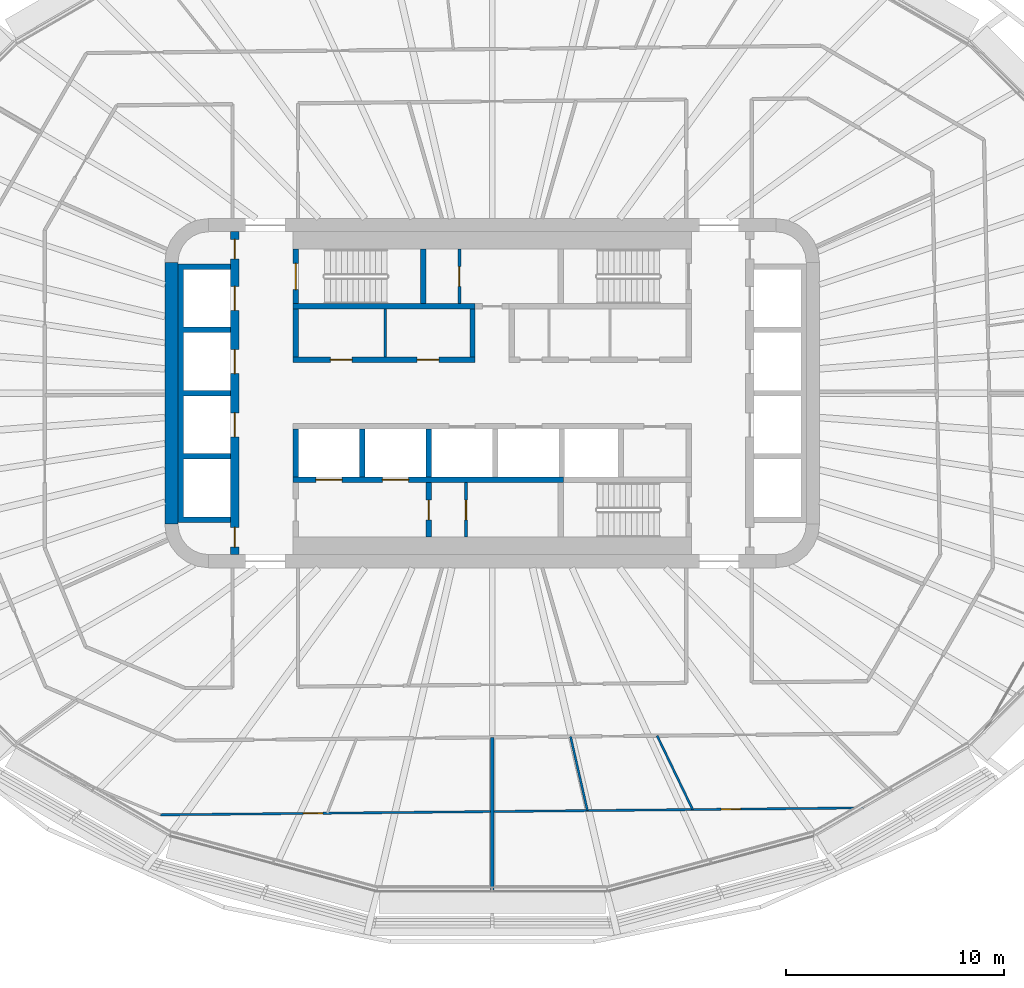
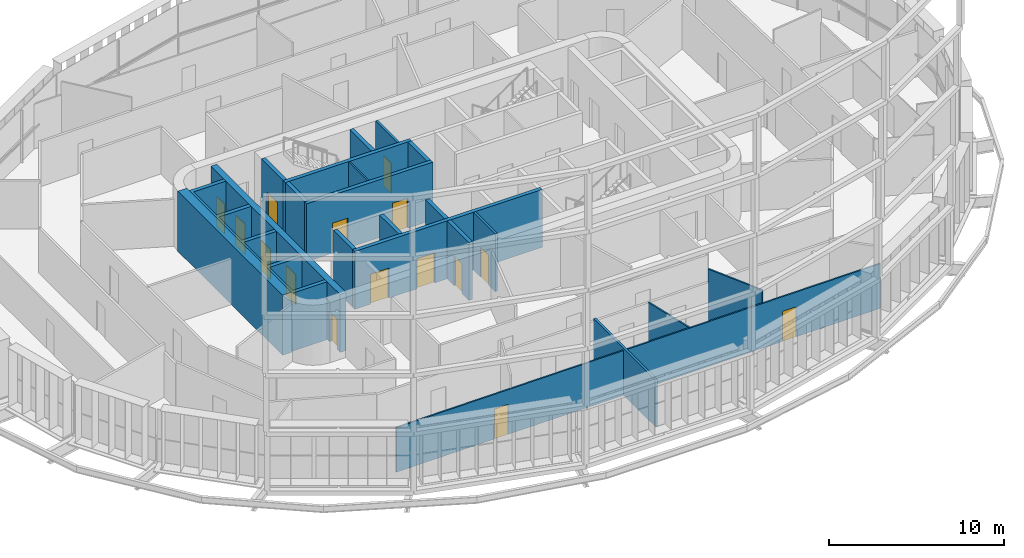
# One storey, part 12 of 23: 21 walls, 15 doors, 15 openings.
"""IFC4 building model written with IfcOpenShell, lengths in metres."""

from ifc_helpers import new_model, si_unit, direction, frame, frame_2d, origin, place, context, subcontext, project, spatial, polyline, rectangle, outline, extrude, material, layer, layer_set, type_object, element, fill, save


model = new_model("IFC4")

# Units and contexts
model_context = context("Model", 3, precision=1e-05, world=origin(), true_north=direction((0.0, 1.0)))
body_context = subcontext(model_context, "Body", "Model", "MODEL_VIEW")
ifc_project = project(units=[si_unit("LENGTHUNIT", "METRE"), si_unit("AREAUNIT", "SQUARE_METRE"), si_unit("VOLUMEUNIT", "CUBIC_METRE"), si_unit("PLANEANGLEUNIT", "RADIAN"), si_unit("MASSUNIT", "GRAM", prefix="KILO")], contexts=[model_context])

# Site, building, storey
site_placement = place(None, origin())
site = spatial("IfcSite", under=ifc_project, at=site_placement, CompositionType="ELEMENT")
building_placement = place(site_placement, origin())
building = spatial("IfcBuilding", under=site, at=building_placement, Name="Sahrelin Media Tower", CompositionType="ELEMENT")
storey_placement = place(building_placement, frame((0.0, 0.0, 54.60009765625)))
storey = spatial("IfcBuildingStorey", under=building, at=storey_placement, Name="L08", CompositionType="ELEMENT", Elevation=54.60009765625)

# Wall
ifc_material_1 = material(Name="Concrete C60/75", Category="concrete")
ifc_layer_1 = layer(ifc_material_1, 0.60009765625)
ifc_layer_set_1 = layer_set([ifc_layer_1], Name="Core wall 600")
wall_type_1 = type_object("IfcWallType", Name="Core wall 600", PredefinedType="SHEAR", material=ifc_layer_set_1)
wall_1_placement = place(storey_placement, frame((-14.699951171875, -6.0, 0.0), z_axis=(0.0, 0.0, 1.0), x_axis=(0.0, 1.0, 0.0)))
element("IfcWall", 1, at=wall_1_placement, inside=storey, type_object=wall_type_1, Name="Core wall W L08", PredefinedType="SHEAR", context=body_context, shape_type="SweptSolid", body=[
    extrude(rectangle(XDim=12.0, YDim=0.60009765625, at=frame_2d((6.0, 0.0))), origin(), (0.0, 0.0, 1.0), 4.199951171875),
])

# Wall, openings, doors
ifc_material_2 = material(Name="Fire-rated gypsum board partition")
ifc_layer_2 = layer(ifc_material_2, 0.25)
ifc_layer_set_2 = layer_set([ifc_layer_2], Name="Fire-rated lobby wall 250")
wall_type_2 = type_object("IfcWallType", Name="Fire-rated lobby wall 250", PredefinedType="PARTITIONING", material=ifc_layer_set_2)
wall_2_placement = place(storey_placement, frame((-9.125, 1.52490234375, 0.0), z_axis=(0.0, 0.0, 1.0), x_axis=(1.0, 0.0, 0.0)))
wall_2 = element("IfcWall", 2, at=wall_2_placement, inside=storey, type_object=wall_type_2, Name="Core lobby wall", PredefinedType="PARTITIONING", context=body_context, shape_type="SweptSolid", body=[
    extrude(rectangle(XDim=8.35009765625, YDim=0.25, at=frame_2d((4.175048828125, 0.0))), origin(), (0.0, 0.0, 1.0), 4.0498046875),
])
opening_1_placement = place(wall_2_placement, frame((1.71240234375, 0.0, 0.0)))
opening_1 = element("IfcOpeningElement", 3, at=opening_1_placement, cuts=wall_2, Name="Opening L08-D09", PredefinedType="OPENING", context=body_context, shape_type="SweptSolid", body=[
    extrude(rectangle(XDim=1.0, YDim=2.10009765625, at=frame_2d((0.5, 1.050048828125))), frame((0.0, 0.125, 0.0), z_axis=(0.0, -1.0, 0.0), x_axis=(1.0, 0.0, 0.0)), (0.0, 0.0, 1.0), 0.25),
])
opening_2_placement = place(wall_2_placement, frame((5.6875, 0.0, 0.0)))
opening_2 = element("IfcOpeningElement", 4, at=opening_2_placement, cuts=wall_2, Name="Opening L08-D10", PredefinedType="OPENING", context=body_context, shape_type="SweptSolid", body=[
    extrude(rectangle(XDim=1.0, YDim=2.10009765625, at=frame_2d((0.5, 1.050048828125))), frame((0.0, 0.125, 0.0), z_axis=(0.0, -1.0, 0.0), x_axis=(1.0, 0.0, 0.0)), (0.0, 0.0, 1.0), 0.25),
])
ifc_material_3 = material(Name="Steel fire door leaf", Category="steel")
door_type_1 = type_object("IfcDoorType", Name="Fire door 1000 x 2100 EI 60", OperationType="NOTDEFINED", PredefinedType="DOOR", material=ifc_material_3)
door_1_placement = place(opening_1_placement, origin())
door_1 = element("IfcDoor", 5, at=door_1_placement, inside=storey, type_object=door_type_1, Name="Core room door", OperationType="SINGLE_SWING_LEFT", OverallHeight=2.10009765625, OverallWidth=1.0, PredefinedType="DOOR", context=body_context, shape_type="SweptSolid", body=[
    extrude(rectangle(XDim=1.0, YDim=2.10009765625, at=frame_2d((0.5, 1.050048828125))), frame((0.0, 0.02490234375, 0.0), z_axis=(0.0, -1.0, 0.0), x_axis=(1.0, 0.0, 0.0)), (0.0, 0.0, 1.0), 0.050048828125),
])
fill(opening_1, door_1)
door_2_placement = place(opening_2_placement, origin())
door_2 = element("IfcDoor", 6, at=door_2_placement, inside=storey, type_object=door_type_1, Name="Core room door", OperationType="SINGLE_SWING_LEFT", OverallHeight=2.10009765625, OverallWidth=1.0, PredefinedType="DOOR", context=body_context, shape_type="SweptSolid", body=[
    extrude(rectangle(XDim=1.0, YDim=2.10009765625, at=frame_2d((0.5, 1.050048828125))), frame((0.0, 0.02490234375, 0.0), z_axis=(0.0, -1.0, 0.0), x_axis=(1.0, 0.0, 0.0)), (0.0, 0.0, 1.0), 0.050048828125),
])
fill(opening_2, door_2)

# Walls
for number, where, z_axis, x_axis, name in (
    (7, (-9.0, 1.64990234375, 0.0), (0.0, 0.0, 1.0), (0.0, 1.0, 0.0), "Core lobby wall"),
    (8, (-0.89990234375, 1.64990234375, 0.0), (0.0, 0.0, 1.0), (0.0, 1.0, 0.0), "Core lobby wall"),
):
    element("IfcWall", number, at=place(storey_placement, frame(where, z_axis=z_axis, x_axis=x_axis)), inside=storey, type_object=wall_type_2, Name=name, PredefinedType="PARTITIONING", context=body_context, shape_type="SweptSolid", body=[
        extrude(rectangle(XDim=2.2001953125, YDim=0.25, at=frame_2d((1.10009765625, 0.0))), origin(), (0.0, 0.0, 1.0), 4.0498046875),
    ])
ifc_layer_3 = layer(ifc_material_2, 0.10009765625)
ifc_layer_set_3 = layer_set([ifc_layer_3], Name="Fire-rated partition 100")
wall_type_3 = type_object("IfcWallType", Name="Fire-rated partition 100", PredefinedType="PARTITIONING", material=ifc_layer_set_3)
wall_3_placement = place(storey_placement, frame((-4.89990234375, 1.64990234375, 0.0), z_axis=(0.0, 0.0, 1.0), x_axis=(0.0, 1.0, 0.0)))
element("IfcWall", 9, at=wall_3_placement, inside=storey, type_object=wall_type_3, Name="Core room partition", PredefinedType="PARTITIONING", context=body_context, shape_type="SweptSolid", body=[
    extrude(rectangle(XDim=2.2001953125, YDim=0.10009765625, at=frame_2d((1.10009765625, 0.0))), origin(), (0.0, 0.0, 1.0), 4.0498046875),
])

# Wall, opening, door
ifc_layer_4 = layer(ifc_material_2, 0.14990234375)
ifc_layer_set_4 = layer_set([ifc_layer_4], Name="Fire-rated partition 150")
wall_type_4 = type_object("IfcWallType", Name="Fire-rated partition 150", PredefinedType="PARTITIONING", material=ifc_layer_set_4)
wall_4_placement = place(storey_placement, frame((-1.5, 4.10009765625, 0.0), z_axis=(0.0, 0.0, 1.0), x_axis=(0.0, 1.0, 0.0)))
wall_4 = element("IfcWall", 10, at=wall_4_placement, inside=storey, type_object=wall_type_4, Name="Core room fire partition", PredefinedType="PARTITIONING", context=body_context, shape_type="SweptSolid", body=[
    extrude(rectangle(XDim=2.5, YDim=0.14990234375, at=frame_2d((1.25, 0.0))), origin(), (0.0, 0.0, 1.0), 4.0498046875),
])
opening_3_placement = place(wall_4_placement, frame((0.800048828125, 0.0, 0.0)))
opening_3 = element("IfcOpeningElement", 11, at=opening_3_placement, cuts=wall_4, Name="Opening L08-D07", PredefinedType="OPENING", context=body_context, shape_type="SweptSolid", body=[
    extrude(rectangle(XDim=0.89990234375, YDim=2.10009765625, at=frame_2d((0.449951171875, 1.050048828125))), frame((0.0, 0.074951171875, 0.0), z_axis=(0.0, -1.0, 0.0), x_axis=(1.0, 0.0, 0.0)), (0.0, 0.0, 1.0), 0.14990234375),
])
door_type_2 = type_object("IfcDoorType", Name="Fire door 900 x 2100 EI 60", OperationType="NOTDEFINED", PredefinedType="DOOR", material=ifc_material_3)
door_3_placement = place(opening_3_placement, origin())
door_3 = element("IfcDoor", 12, at=door_3_placement, inside=storey, type_object=door_type_2, Name="Core room door", OperationType="SINGLE_SWING_LEFT", OverallHeight=2.10009765625, OverallWidth=0.89990234375, PredefinedType="DOOR", context=body_context, shape_type="SweptSolid", body=[
    extrude(rectangle(XDim=0.89990234375, YDim=2.10009765625, at=frame_2d((0.449951171875, 1.050048828125))), frame((0.0, 0.02490234375, 0.0), z_axis=(0.0, -1.0, 0.0), x_axis=(1.0, 0.0, 0.0)), (0.0, 0.0, 1.0), 0.050048828125),
])
fill(opening_3, door_3)

wall_5_placement = place(storey_placement, frame((-1.199951171875, -6.60009765625, 0.0), z_axis=(0.0, 0.0, 1.0), x_axis=(0.0, 1.0, 0.0)))
wall_5 = element("IfcWall", 13, at=wall_5_placement, inside=storey, type_object=wall_type_4, Name="Core room fire partition", PredefinedType="PARTITIONING", context=body_context, shape_type="SweptSolid", body=[
    extrude(rectangle(XDim=2.5, YDim=0.14990234375, at=frame_2d((1.25, 0.0))), origin(), (0.0, 0.0, 1.0), 4.0498046875),
])
opening_4_placement = place(wall_5_placement, frame((0.800048828125, 0.0, 0.0)))
opening_4 = element("IfcOpeningElement", 14, at=opening_4_placement, cuts=wall_5, Name="Opening L08-D08", PredefinedType="OPENING", context=body_context, shape_type="SweptSolid", body=[
    extrude(rectangle(XDim=0.89990234375, YDim=2.10009765625, at=frame_2d((0.449951171875, 1.050048828125))), frame((0.0, 0.074951171875, 0.0), z_axis=(0.0, -1.0, 0.0), x_axis=(1.0, 0.0, 0.0)), (0.0, 0.0, 1.0), 0.14990234375),
])
door_4_placement = place(opening_4_placement, origin())
door_4 = element("IfcDoor", 15, at=door_4_placement, inside=storey, type_object=door_type_2, Name="Core room door", OperationType="SINGLE_SWING_RIGHT", OverallHeight=2.10009765625, OverallWidth=0.89990234375, PredefinedType="DOOR", context=body_context, shape_type="SweptSolid", body=[
    extrude(rectangle(XDim=0.89990234375, YDim=2.10009765625, at=frame_2d((0.449951171875, 1.050048828125))), frame((0.0, 0.02490234375, 0.0), z_axis=(0.0, -1.0, 0.0), x_axis=(1.0, 0.0, 0.0)), (0.0, 0.0, 1.0), 0.050048828125),
])
fill(opening_4, door_4)

# Wall
wall_6_placement = place(storey_placement, frame((0.0, -22.833984375, 0.0), z_axis=(0.0, 0.0, 1.0), x_axis=(0.0, 1.0, 0.0)))
element("IfcWall", 16, at=wall_6_placement, inside=storey, type_object=wall_type_4, Name="Wall", PredefinedType="PARTITIONING", context=body_context, shape_type="SweptSolid", body=[
    extrude(rectangle(XDim=7.06201171875, YDim=0.14990234375, at=frame_2d((3.531005859375, 0.0))), origin(), (0.0, 0.0, 1.0), 3.27587890625),
])

# Wall, opening, door
ifc_layer_5 = layer(ifc_material_2, 0.25)
ifc_layer_set_5 = layer_set([ifc_layer_5], Name="Firefighting lobby wall 250")
wall_type_5 = type_object("IfcWallType", Name="Firefighting lobby wall 250", PredefinedType="PARTITIONING", material=ifc_layer_set_5)
wall_7_placement = place(storey_placement, frame((-2.89990234375, -6.60009765625, 0.0), z_axis=(0.0, 0.0, 1.0), x_axis=(0.0, 1.0, 0.0)))
wall_7 = element("IfcWall", 17, at=wall_7_placement, inside=storey, type_object=wall_type_5, Name="Core wall", PredefinedType="PARTITIONING", context=body_context, shape_type="SweptSolid", body=[
    extrude(rectangle(XDim=2.5, YDim=0.25, at=frame_2d((1.25, 0.0))), origin(), (0.0, 0.0, 1.0), 4.0498046875),
])
opening_5_placement = place(wall_7_placement, frame((0.800048828125, 0.0, 0.0)))
opening_5 = element("IfcOpeningElement", 18, at=opening_5_placement, cuts=wall_7, Name="Opening L08-D05", PredefinedType="OPENING", context=body_context, shape_type="SweptSolid", body=[
    extrude(rectangle(XDim=0.89990234375, YDim=2.10009765625, at=frame_2d((0.449951171875, 1.050048828125))), frame((0.0, 0.125, 0.0), z_axis=(0.0, -1.0, 0.0), x_axis=(1.0, 0.0, 0.0)), (0.0, 0.0, 1.0), 0.25),
])
door_type_3 = type_object("IfcDoorType", Name="Firefighting lobby door 900 x 2100 EI 120", OperationType="NOTDEFINED", PredefinedType="DOOR", material=ifc_material_3)
door_5_placement = place(opening_5_placement, origin())
door_5 = element("IfcDoor", 19, at=door_5_placement, inside=storey, type_object=door_type_3, Name="Riser door", OperationType="SINGLE_SWING_RIGHT", OverallHeight=2.10009765625, OverallWidth=0.89990234375, PredefinedType="DOOR", context=body_context, shape_type="SweptSolid", body=[
    extrude(rectangle(XDim=0.89990234375, YDim=2.10009765625, at=frame_2d((0.449951171875, 1.050048828125))), frame((0.0, 0.02490234375, 0.0), z_axis=(0.0, -1.0, 0.0), x_axis=(1.0, 0.0, 0.0)), (0.0, 0.0, 1.0), 0.050048828125),
])
fill(opening_5, door_5)

# Wall, openings, doors
ifc_layer_6 = layer(ifc_material_1, 0.25)
ifc_layer_set_6 = layer_set([ifc_layer_6], Name="Lift shaft wall 250")
wall_type_6 = type_object("IfcWallType", Name="Lift shaft wall 250", PredefinedType="SOLIDWALL", material=ifc_layer_set_6)
wall_8_placement = place(storey_placement, frame((-9.125, -3.97509765625, 0.0), z_axis=(0.0, 0.0, 1.0), x_axis=(1.0, 0.0, 0.0)))
wall_8 = element("IfcWall", 20, at=wall_8_placement, inside=storey, type_object=wall_type_6, Name="Lift shaft wall", PredefinedType="SOLIDWALL", context=body_context, shape_type="SweptSolid", body=[
    extrude(rectangle(XDim=12.39990234375, YDim=0.25, at=frame_2d((6.199951171875, 0.0))), origin(), (0.0, 0.0, 1.0), 4.0498046875),
])
opening_6_placement = place(wall_8_placement, frame((1.050048828125, 0.0, 0.0)))
opening_6 = element("IfcOpeningElement", 21, at=opening_6_placement, cuts=wall_8, Name="Opening L08-LD-FF1", PredefinedType="OPENING", context=body_context, shape_type="SweptSolid", body=[
    extrude(rectangle(XDim=1.199951171875, YDim=2.10009765625, at=frame_2d((0.60009765625, 1.050048828125))), frame((0.0, 0.125, 0.0), z_axis=(0.0, -1.0, 0.0), x_axis=(1.0, 0.0, 0.0)), (0.0, 0.0, 1.0), 0.25),
])
opening_7_placement = place(wall_8_placement, frame((4.10009765625, 0.0, 0.0)))
opening_7 = element("IfcOpeningElement", 22, at=opening_7_placement, cuts=wall_8, Name="Opening L08-LD-FF2", PredefinedType="OPENING", context=body_context, shape_type="SweptSolid", body=[
    extrude(rectangle(XDim=1.199951171875, YDim=2.10009765625, at=frame_2d((0.60009765625, 1.050048828125))), frame((0.0, 0.125, 0.0), z_axis=(0.0, -1.0, 0.0), x_axis=(1.0, 0.0, 0.0)), (0.0, 0.0, 1.0), 0.25),
])
ifc_material_4 = material(Name="Stainless steel", Category="steel")
door_type_4 = type_object("IfcDoorType", Name="Lift landing door 1200 x 2100 EI 120", OperationType="DOUBLE_DOOR_SLIDING", PredefinedType="DOOR", material=ifc_material_4)
door_6_placement = place(opening_6_placement, origin())
door_6 = element("IfcDoor", 23, at=door_6_placement, inside=storey, type_object=door_type_4, Name="Lift landing door FF1", OperationType="DOUBLE_DOOR_SLIDING", OverallHeight=2.10009765625, OverallWidth=1.199951171875, PredefinedType="DOOR", context=body_context, shape_type="SweptSolid", body=[
    extrude(rectangle(XDim=1.199951171875, YDim=2.10009765625, at=frame_2d((0.60009765625, 1.050048828125))), frame((0.0, 0.02490234375, 0.0), z_axis=(0.0, -1.0, 0.0), x_axis=(1.0, 0.0, 0.0)), (0.0, 0.0, 1.0), 0.050048828125),
])
fill(opening_6, door_6)
door_7_placement = place(opening_7_placement, origin())
door_7 = element("IfcDoor", 24, at=door_7_placement, inside=storey, type_object=door_type_4, Name="Lift landing door FF2", OperationType="DOUBLE_DOOR_SLIDING", OverallHeight=2.10009765625, OverallWidth=1.199951171875, PredefinedType="DOOR", context=body_context, shape_type="SweptSolid", body=[
    extrude(rectangle(XDim=1.199951171875, YDim=2.10009765625, at=frame_2d((0.60009765625, 1.050048828125))), frame((0.0, 0.02490234375, 0.0), z_axis=(0.0, -1.0, 0.0), x_axis=(1.0, 0.0, 0.0)), (0.0, 0.0, 1.0), 0.050048828125),
])
fill(opening_7, door_7)

# Walls
for number, where, z_axis, x_axis, name in (
    (25, (-9.0, -3.85009765625, 0.0), (0.0, 0.0, 1.0), (0.0, 1.0, 0.0), "Lift shaft wall"),
    (26, (-5.949951171875, -3.85009765625, 0.0), (0.0, 0.0, 1.0), (0.0, 1.0, 0.0), "Lift shaft wall"),
    (27, (-2.89990234375, -3.85009765625, 0.0), (0.0, 0.0, 1.0), (0.0, 1.0, 0.0), "Lift shaft wall"),
):
    element("IfcWall", number, at=place(storey_placement, frame(where, z_axis=z_axis, x_axis=x_axis)), inside=storey, type_object=wall_type_6, Name=name, PredefinedType="SOLIDWALL", context=body_context, shape_type="SweptSolid", body=[
        extrude(rectangle(XDim=2.2001953125, YDim=0.25, at=frame_2d((1.10009765625, 0.0))), origin(), (0.0, 0.0, 1.0), 4.0498046875),
    ])
wall_9_placement = place(storey_placement, origin())
element("IfcWall", 28, at=wall_9_placement, inside=storey, type_object=wall_type_6, Name="Lift shaft wall", PredefinedType="SOLIDWALL", context=body_context, shape_type="SweptSolid", body=[
    extrude(outline(polyline([(-12.0, -5.925048828125), (-12.0, -5.675048828125), (-14.14990234375, -5.675048828125), (-14.14990234375, -3.02490234375), (-12.0, -3.02490234375), (-12.0, -2.77490234375), (-14.14990234375, -2.77490234375), (-14.14990234375, -0.125), (-12.0, -0.125), (-12.0, 0.125), (-14.14990234375, 0.125), (-14.14990234375, 2.77490234375), (-12.0, 2.77490234375), (-12.0, 3.02490234375), (-14.14990234375, 3.02490234375), (-14.14990234375, 5.675048828125), (-12.0, 5.675048828125), (-12.0, 5.925048828125), (-14.14990234375, 5.925048828125), (-14.39990234375, 5.925048828125), (-14.39990234375, 5.675048828125), (-14.39990234375, 3.02490234375), (-14.39990234375, 2.77490234375), (-14.39990234375, 0.125), (-14.39990234375, -0.125), (-14.39990234375, -2.77490234375), (-14.39990234375, -3.02490234375), (-14.39990234375, -5.675048828125), (-14.39990234375, -5.925048828125), (-14.14990234375, -5.925048828125), (-12.0, -5.925048828125)])), origin(), (0.0, 0.0, 1.0), 4.0498046875),
])

# Wall, openings, doors
ifc_layer_7 = layer(ifc_material_1, 0.39990234375)
ifc_layer_set_7 = layer_set([ifc_layer_7], Name="Lift shaft wall 400")
wall_type_7 = type_object("IfcWallType", Name="Lift shaft wall 400", PredefinedType="SOLIDWALL", material=ifc_layer_set_7)
wall_10_placement = place(storey_placement, frame((-11.800048828125, -7.39990234375, 0.0), z_axis=(0.0, 0.0, 1.0), x_axis=(0.0, 1.0, 0.0)))
wall_10 = element("IfcWall", 29, at=wall_10_placement, inside=storey, type_object=wall_type_7, Name="Lift shaft wall", PredefinedType="SOLIDWALL", context=body_context, shape_type="SweptSolid", body=[
    extrude(rectangle(XDim=14.7998046875, YDim=0.39990234375, at=frame_2d((7.39990234375, 0.0))), origin(), (0.0, 0.0, 1.0), 4.0498046875),
])
opening_8_placement = place(wall_10_placement, frame((11.199951171875, 0.0, 0.0)))
opening_8 = element("IfcOpeningElement", 30, at=opening_8_placement, cuts=wall_10, Name="Opening L08-LD-LR1", PredefinedType="OPENING", context=body_context, shape_type="SweptSolid", body=[
    extrude(rectangle(XDim=1.10009765625, YDim=2.10009765625, at=frame_2d((0.550048828125, 1.050048828125))), frame((0.0, 0.199951171875, 0.0), z_axis=(0.0, -1.0, 0.0), x_axis=(1.0, 0.0, 0.0)), (0.0, 0.0, 1.0), 0.39990234375),
])
opening_9_placement = place(wall_10_placement, frame((8.300048828125, 0.0, 0.0)))
opening_9 = element("IfcOpeningElement", 31, at=opening_9_placement, cuts=wall_10, Name="Opening L08-LD-LR2", PredefinedType="OPENING", context=body_context, shape_type="SweptSolid", body=[
    extrude(rectangle(XDim=1.10009765625, YDim=2.10009765625, at=frame_2d((0.550048828125, 1.050048828125))), frame((0.0, 0.199951171875, 0.0), z_axis=(0.0, -1.0, 0.0), x_axis=(1.0, 0.0, 0.0)), (0.0, 0.0, 1.0), 0.39990234375),
])
opening_10_placement = place(wall_10_placement, frame((5.39990234375, 0.0, 0.0)))
opening_10 = element("IfcOpeningElement", 32, at=opening_10_placement, cuts=wall_10, Name="Opening L08-LD-LR3", PredefinedType="OPENING", context=body_context, shape_type="SweptSolid", body=[
    extrude(rectangle(XDim=1.10009765625, YDim=2.10009765625, at=frame_2d((0.550048828125, 1.050048828125))), frame((0.0, 0.199951171875, 0.0), z_axis=(0.0, -1.0, 0.0), x_axis=(1.0, 0.0, 0.0)), (0.0, 0.0, 1.0), 0.39990234375),
])
opening_11_placement = place(wall_10_placement, frame((13.552490234375, 0.0, 0.0)))
opening_11 = element("IfcOpeningElement", 33, at=opening_11_placement, cuts=wall_10, Name="Opening L08-D15", PredefinedType="OPENING", context=body_context, shape_type="SweptSolid", body=[
    extrude(rectangle(XDim=0.89990234375, YDim=2.10009765625, at=frame_2d((0.449951171875, 1.050048828125))), frame((0.0, 0.199951171875, 0.0), z_axis=(0.0, -1.0, 0.0), x_axis=(1.0, 0.0, 0.0)), (0.0, 0.0, 1.0), 0.39990234375),
])
opening_12_placement = place(wall_10_placement, frame((0.347412109375, 0.0, 0.0)))
opening_12 = element("IfcOpeningElement", 34, at=opening_12_placement, cuts=wall_10, Name="Opening L08-D16", PredefinedType="OPENING", context=body_context, shape_type="SweptSolid", body=[
    extrude(rectangle(XDim=0.89990234375, YDim=2.10009765625, at=frame_2d((0.449951171875, 1.050048828125))), frame((0.0, 0.199951171875, 0.0), z_axis=(0.0, -1.0, 0.0), x_axis=(1.0, 0.0, 0.0)), (0.0, 0.0, 1.0), 0.39990234375),
])
door_type_5 = type_object("IfcDoorType", Name="Lift landing door 1100 x 2100 EI 120", OperationType="DOUBLE_DOOR_SLIDING", PredefinedType="DOOR", material=ifc_material_4)
door_8_placement = place(opening_8_placement, origin())
door_8 = element("IfcDoor", 35, at=door_8_placement, inside=storey, type_object=door_type_5, Name="Lift landing door LR1", OperationType="DOUBLE_DOOR_SLIDING", OverallHeight=2.10009765625, OverallWidth=1.10009765625, PredefinedType="DOOR", context=body_context, shape_type="SweptSolid", body=[
    extrude(rectangle(XDim=1.10009765625, YDim=2.10009765625, at=frame_2d((0.550048828125, 1.050048828125))), frame((0.0, 0.02490234375, 0.0), z_axis=(0.0, -1.0, 0.0), x_axis=(1.0, 0.0, 0.0)), (0.0, 0.0, 1.0), 0.050048828125),
])
fill(opening_8, door_8)
door_9_placement = place(opening_9_placement, origin())
door_9 = element("IfcDoor", 36, at=door_9_placement, inside=storey, type_object=door_type_5, Name="Lift landing door LR2", OperationType="DOUBLE_DOOR_SLIDING", OverallHeight=2.10009765625, OverallWidth=1.10009765625, PredefinedType="DOOR", context=body_context, shape_type="SweptSolid", body=[
    extrude(rectangle(XDim=1.10009765625, YDim=2.10009765625, at=frame_2d((0.550048828125, 1.050048828125))), frame((0.0, 0.02490234375, 0.0), z_axis=(0.0, -1.0, 0.0), x_axis=(1.0, 0.0, 0.0)), (0.0, 0.0, 1.0), 0.050048828125),
])
fill(opening_9, door_9)
door_10_placement = place(opening_10_placement, origin())
door_10 = element("IfcDoor", 37, at=door_10_placement, inside=storey, type_object=door_type_5, Name="Lift landing door LR3", OperationType="DOUBLE_DOOR_SLIDING", OverallHeight=2.10009765625, OverallWidth=1.10009765625, PredefinedType="DOOR", context=body_context, shape_type="SweptSolid", body=[
    extrude(rectangle(XDim=1.10009765625, YDim=2.10009765625, at=frame_2d((0.550048828125, 1.050048828125))), frame((0.0, 0.02490234375, 0.0), z_axis=(0.0, -1.0, 0.0), x_axis=(1.0, 0.0, 0.0)), (0.0, 0.0, 1.0), 0.050048828125),
])
fill(opening_10, door_10)
door_type_6 = type_object("IfcDoorType", Name="Riser door 900 x 2100 EI 120", OperationType="NOTDEFINED", PredefinedType="DOOR", material=ifc_material_3)
door_11_placement = place(opening_11_placement, origin())
door_11 = element("IfcDoor", 38, at=door_11_placement, inside=storey, type_object=door_type_6, Name="Riser door", OperationType="SINGLE_SWING_LEFT", OverallHeight=2.10009765625, OverallWidth=0.89990234375, PredefinedType="DOOR", context=body_context, shape_type="SweptSolid", body=[
    extrude(rectangle(XDim=0.89990234375, YDim=2.10009765625, at=frame_2d((0.449951171875, 1.050048828125))), frame((0.0, 0.02490234375, 0.0), z_axis=(0.0, -1.0, 0.0), x_axis=(1.0, 0.0, 0.0)), (0.0, 0.0, 1.0), 0.050048828125),
])
fill(opening_11, door_11)
door_12_placement = place(opening_12_placement, origin())
door_12 = element("IfcDoor", 39, at=door_12_placement, inside=storey, type_object=door_type_6, Name="Riser door", OperationType="SINGLE_SWING_LEFT", OverallHeight=2.10009765625, OverallWidth=0.89990234375, PredefinedType="DOOR", context=body_context, shape_type="SweptSolid", body=[
    extrude(rectangle(XDim=0.89990234375, YDim=2.10009765625, at=frame_2d((0.449951171875, 1.050048828125))), frame((0.0, 0.02490234375, 0.0), z_axis=(0.0, -1.0, 0.0), x_axis=(1.0, 0.0, 0.0)), (0.0, 0.0, 1.0), 0.050048828125),
])
fill(opening_12, door_12)

# Walls
ifc_material_5 = material(Name="Gypsum board partition")
ifc_layer_8 = layer(ifc_material_5, 0.10009765625)
ifc_layer_set_8 = layer_set([ifc_layer_8], Name="Partition 100")
wall_type_8 = type_object("IfcWallType", Name="Partition 100", PredefinedType="PARTITIONING", material=ifc_layer_set_8)
wall_11_placement = place(storey_placement, frame((3.592041015625, -15.736083984375, 0.0), z_axis=(0.0, 0.0, 1.0), x_axis=(0.22239426517, -0.974956814848, 0.0)))
element("IfcWall", 40, at=wall_11_placement, inside=storey, type_object=wall_type_8, Name="Wall", PredefinedType="PARTITIONING", context=body_context, shape_type="SweptSolid", body=[
    extrude(rectangle(XDim=3.47998046875, YDim=0.10009765625, at=frame_2d((1.739990234375, 0.0))), origin(), (0.0, 0.0, 1.0), 3.126953125),
])
wall_12_placement = place(storey_placement, frame((7.55908203125, -15.697021484375, 0.0), z_axis=(0.0, 0.0, 1.0), x_axis=(0.433930919044, -0.900946145726, 0.0)))
element("IfcWall", 41, at=wall_12_placement, inside=storey, type_object=wall_type_8, Name="Wall", PredefinedType="PARTITIONING", context=body_context, shape_type="SweptSolid", body=[
    extrude(rectangle(XDim=3.756103515625, YDim=0.10009765625, at=frame_2d((1.8779296875, 0.0))), origin(), (0.0, 0.0, 1.0), 4.0498046875),
])

# Wall, openings, doors
wall_13_placement = place(storey_placement, frame((-15.194091796875, -19.322998046875, 0.0), z_axis=(0.0, 0.0, 1.0), x_axis=(0.999950927115, 0.009906733132, 0.0)))
wall_13 = element("IfcWall", 42, at=wall_13_placement, inside=storey, type_object=wall_type_8, Name="Wall", PredefinedType="PARTITIONING", context=body_context, shape_type="SweptSolid", body=[
    extrude(rectangle(XDim=32.20947265625, YDim=0.10009765625, at=frame_2d((16.104736328125, 0.0))), origin(), (0.0, 0.0, 1.0), 3.126953125),
])
opening_13_placement = place(wall_13_placement, frame((6.542236328125, 0.0, 0.0)))
opening_13 = element("IfcOpeningElement", 43, at=opening_13_placement, cuts=wall_13, Name="Opening L08-D51", PredefinedType="OPENING", context=body_context, shape_type="SweptSolid", body=[
    extrude(rectangle(XDim=0.89990234375, YDim=2.10009765625, at=frame_2d((0.449951171875, 1.050048828125))), frame((0.0, 0.050048828125, 0.0), z_axis=(0.0, -1.0, 0.0), x_axis=(1.0, 0.0, 0.0)), (0.0, 0.0, 1.0), 0.10009765625),
])
opening_14_placement = place(wall_13_placement, frame((25.68603515625, 0.0, 0.0)))
opening_14 = element("IfcOpeningElement", 44, at=opening_14_placement, cuts=wall_13, Name="Opening L08-D55", PredefinedType="OPENING", context=body_context, shape_type="SweptSolid", body=[
    extrude(rectangle(XDim=0.89990234375, YDim=2.10009765625, at=frame_2d((0.449951171875, 1.050048828125))), frame((0.0, 0.050048828125, 0.0), z_axis=(0.0, -1.0, 0.0), x_axis=(1.0, 0.0, 0.0)), (0.0, 0.0, 1.0), 0.10009765625),
])
ifc_material_6 = material(Name="Timber door leaf", Category="wood")
door_type_7 = type_object("IfcDoorType", Name="Single door 900 x 2100", OperationType="NOTDEFINED", PredefinedType="DOOR", material=ifc_material_6)
door_13_placement = place(opening_13_placement, origin())
door_13 = element("IfcDoor", 45, at=door_13_placement, inside=storey, type_object=door_type_7, Name="Single door", OperationType="SINGLE_SWING_RIGHT", OverallHeight=2.10009765625, OverallWidth=0.89990234375, PredefinedType="DOOR", context=body_context, shape_type="SweptSolid", body=[
    extrude(rectangle(XDim=0.89990234375, YDim=2.10009765625, at=frame_2d((0.449951171875, 1.050048828125))), frame((0.0, 0.02490234375, 0.0), z_axis=(0.0, -1.0, 0.0), x_axis=(1.0, 0.0, 0.0)), (0.0, 0.0, 1.0), 0.050048828125),
])
fill(opening_13, door_13)
door_14_placement = place(opening_14_placement, origin())
door_14 = element("IfcDoor", 46, at=door_14_placement, inside=storey, type_object=door_type_7, Name="Single door", OperationType="SINGLE_SWING_RIGHT", OverallHeight=2.10009765625, OverallWidth=0.89990234375, PredefinedType="DOOR", context=body_context, shape_type="SweptSolid", body=[
    extrude(rectangle(XDim=0.89990234375, YDim=2.10009765625, at=frame_2d((0.449951171875, 1.050048828125))), frame((0.0, 0.02490234375, 0.0), z_axis=(0.0, -1.0, 0.0), x_axis=(1.0, 0.0, 0.0)), (0.0, 0.0, 1.0), 0.050048828125),
])
fill(opening_14, door_14)

# Wall, opening, door
ifc_layer_9 = layer(ifc_material_1, 0.25)
ifc_layer_set_9 = layer_set([ifc_layer_9], Name="Stair enclosure wall 250")
wall_type_9 = type_object("IfcWallType", Name="Stair enclosure wall 250", PredefinedType="SOLIDWALL", material=ifc_layer_set_9)
wall_14_placement = place(storey_placement, frame((-9.0, 4.10009765625, 0.0), z_axis=(0.0, 0.0, 1.0), x_axis=(0.0, 1.0, 0.0)))
wall_14 = element("IfcWall", 47, at=wall_14_placement, inside=storey, type_object=wall_type_9, Name="Stair enclosure wall", PredefinedType="SOLIDWALL", context=body_context, shape_type="SweptSolid", body=[
    extrude(rectangle(XDim=2.5, YDim=0.25, at=frame_2d((1.25, 0.0))), origin(), (0.0, 0.0, 1.0), 4.0498046875),
])
opening_15_placement = place(wall_14_placement, frame((0.64990234375, 0.0, 0.0)))
opening_15 = element("IfcOpeningElement", 48, at=opening_15_placement, cuts=wall_14, Name="Opening L08-D01", PredefinedType="OPENING", context=body_context, shape_type="SweptSolid", body=[
    extrude(rectangle(XDim=1.199951171875, YDim=2.10009765625, at=frame_2d((0.60009765625, 1.050048828125))), frame((0.0, 0.125, 0.0), z_axis=(0.0, -1.0, 0.0), x_axis=(1.0, 0.0, 0.0)), (0.0, 0.0, 1.0), 0.25),
])
door_type_8 = type_object("IfcDoorType", Name="Stair door 1200 x 2100 EI 120", OperationType="NOTDEFINED", PredefinedType="DOOR", material=ifc_material_3)
door_15_placement = place(opening_15_placement, origin())
door_15 = element("IfcDoor", 49, at=door_15_placement, inside=storey, type_object=door_type_8, Name="Stair door ST1", OperationType="SINGLE_SWING_RIGHT", OverallHeight=2.10009765625, OverallWidth=1.199951171875, PredefinedType="DOOR", context=body_context, shape_type="SweptSolid", body=[
    extrude(rectangle(XDim=1.199951171875, YDim=2.10009765625, at=frame_2d((0.60009765625, 1.050048828125))), frame((0.0, 0.02490234375, 0.0), z_axis=(0.0, -1.0, 0.0), x_axis=(1.0, 0.0, 0.0)), (0.0, 0.0, 1.0), 0.050048828125),
])
fill(opening_15, door_15)

# Walls
wall_15_placement = place(storey_placement, frame((-3.14990234375, 4.10009765625, 0.0), z_axis=(0.0, 0.0, 1.0), x_axis=(0.0, 1.0, 0.0)))
element("IfcWall", 50, at=wall_15_placement, inside=storey, type_object=wall_type_9, Name="Stair enclosure wall", PredefinedType="SOLIDWALL", context=body_context, shape_type="SweptSolid", body=[
    extrude(rectangle(XDim=2.5, YDim=0.25, at=frame_2d((1.25, 0.0))), origin(), (0.0, 0.0, 1.0), 4.0498046875),
])
wall_16_placement = place(storey_placement, frame((-9.125, 3.97509765625, 0.0), z_axis=(0.0, 0.0, 1.0), x_axis=(1.0, 0.0, 0.0)))
element("IfcWall", 51, at=wall_16_placement, inside=storey, type_object=wall_type_9, Name="Stair enclosure wall", PredefinedType="SOLIDWALL", context=body_context, shape_type="SweptSolid", body=[
    extrude(rectangle(XDim=8.35009765625, YDim=0.25, at=frame_2d((4.175048828125, 0.0))), origin(), (0.0, 0.0, 1.0), 4.0498046875),
])

save(model, "model.ifc")
